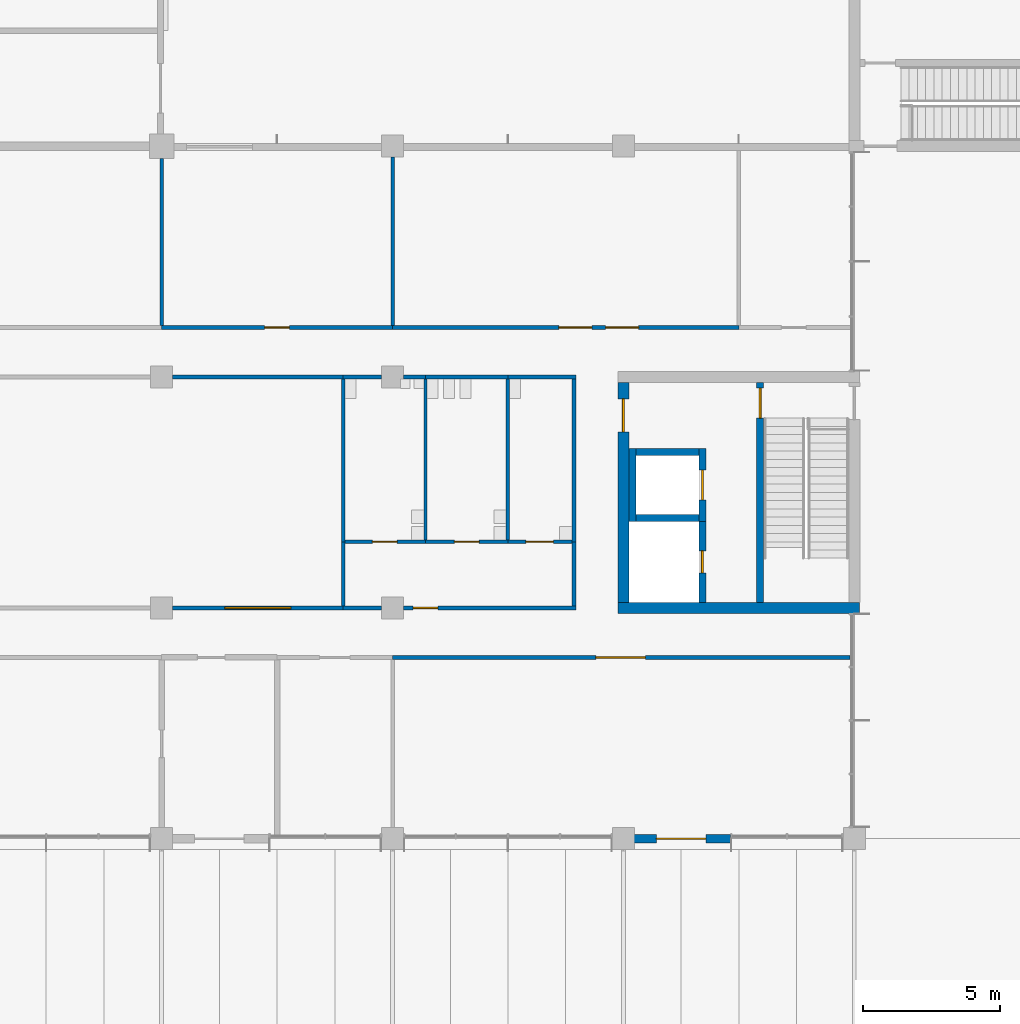
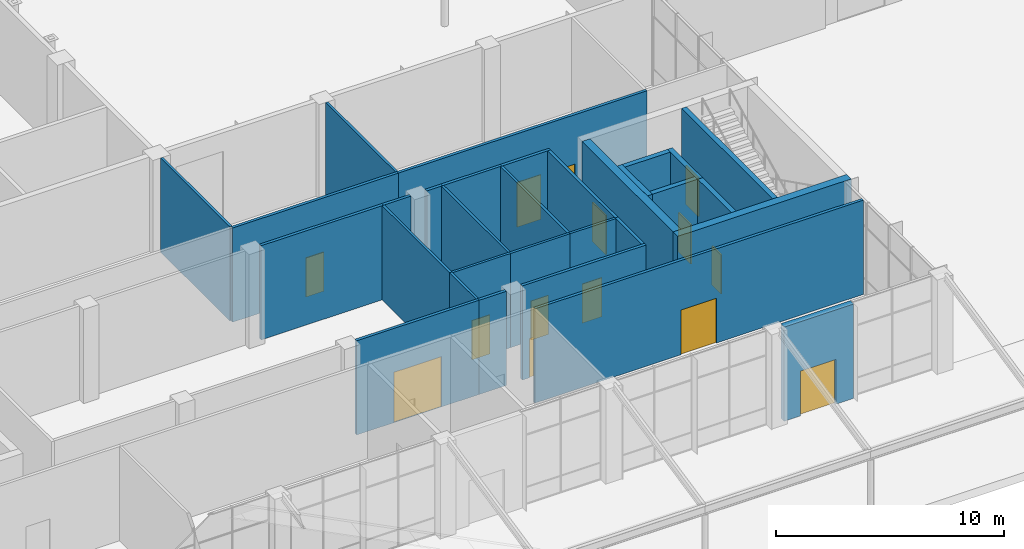
# One storey, part 33 of 76: 31 walls, 14 doors, 14 openings.
"""IFC4 building model written with IfcOpenShell, lengths in metres."""

from ifc_helpers import new_model, si_unit, direction, frame, frame_2d, origin, place, context, subcontext, project, spatial, rectangle, extrude, material, layer, layer_set, type_object, element, fill, save


model = new_model("IFC4")

# Units and contexts
model_context = context("Model", 3, precision=1e-05, world=origin(), true_north=direction((0.0, 1.0)))
body_context = subcontext(model_context, "Body", "Model", "MODEL_VIEW")
ifc_project = project(units=[si_unit("LENGTHUNIT", "METRE"), si_unit("AREAUNIT", "SQUARE_METRE"), si_unit("VOLUMEUNIT", "CUBIC_METRE"), si_unit("PLANEANGLEUNIT", "RADIAN"), si_unit("MASSUNIT", "GRAM", prefix="KILO")], contexts=[model_context])

# Site, building, storey
site_placement = place(None, origin())
site = spatial("IfcSite", under=ifc_project, at=site_placement, CompositionType="ELEMENT")
building_placement = place(site_placement, origin())
building = spatial("IfcBuilding", under=site, at=building_placement, Name="Hlaing Beacon Police Headquarters", CompositionType="ELEMENT")
storey_placement = place(building_placement, origin())
storey = spatial("IfcBuildingStorey", under=building, at=storey_placement, Name="L00", CompositionType="ELEMENT", Elevation=0.0)

# Wall
ifc_material_1 = material(Name="Concrete C60/75", Category="concrete")
ifc_layer_1 = layer(ifc_material_1, 0.39990234375)
ifc_layer_set_1 = layer_set([ifc_layer_1], Name="Concrete C60/75")
wall_type_1 = type_object("IfcWallType", Name="Core shear wall 400", PredefinedType="SHEAR", material=ifc_layer_set_1)
wall_1_placement = place(storey_placement, frame((50.199951171875, 16.800048828125, 0.0), z_axis=(0.0, 0.0, 1.0), x_axis=(1.0, 0.0, 0.0)))
element("IfcWall", 1, at=wall_1_placement, inside=storey, type_object=wall_type_1, Name="Core shear wall", PredefinedType="SHEAR", context=body_context, shape_type="SweptSolid", body=[
    extrude(rectangle(XDim=8.800048828125, YDim=0.39990234375, at=frame_2d((4.39990234375, 0.0))), origin(), (0.0, 0.0, 1.0), 5.050048828125),
])

# Wall, opening, door
wall_2_placement = place(storey_placement, frame((50.39990234375, 17.0, 0.0), z_axis=(0.0, 0.0, 1.0), x_axis=(0.0, 1.0, 0.0)))
wall_2 = element("IfcWall", 2, at=wall_2_placement, inside=storey, type_object=wall_type_1, Name="Core shear wall", PredefinedType="SHEAR", context=body_context, shape_type="SweptSolid", body=[
    extrude(rectangle(XDim=8.0, YDim=0.39990234375, at=frame_2d((4.0, 0.0))), origin(), (0.0, 0.0, 1.0), 5.050048828125),
])
opening_1_placement = place(wall_2_placement, frame((6.199951171875, 0.0, 0.0)))
opening_1 = element("IfcOpeningElement", 3, at=opening_1_placement, cuts=wall_2, Name="Opening L00-941", PredefinedType="OPENING", context=body_context, shape_type="SweptSolid", body=[
    extrude(rectangle(XDim=1.199951171875, YDim=2.10009765625, at=frame_2d((0.60009765625, 1.050048828125))), frame((0.0, 0.2099609375, 0.0), z_axis=(0.0, -1.0, 0.0), x_axis=(1.0, 0.0, 0.0)), (0.0, 0.0, 1.0), 0.419921875),
])
ifc_material_2 = material(Name="Steel fire door leaf", Category="steel")
ifc_layer_2 = layer(ifc_material_2, 0.070068359375)
ifc_layer_set_2 = layer_set([ifc_layer_2], Name="Steel fire door leaf")
door_type_1 = type_object("IfcDoorType", Name="Steel fire door FD60S 1200x2100", OperationType="SINGLE_SWING_LEFT", PredefinedType="DOOR", material=ifc_layer_set_2)
door_1_placement = place(opening_1_placement, frame((1.199951171875, 0.0, 0.0), z_axis=(0.0, 0.0, 1.0), x_axis=(-1.0, 0.0, 0.0)))
door_1 = element("IfcDoor", 4, at=door_1_placement, inside=storey, type_object=door_type_1, Name="Door Lift and Stair Lobby ST-K Entry", OperationType="SINGLE_SWING_LEFT", OverallHeight=2.10009765625, OverallWidth=1.199951171875, PredefinedType="DOOR", context=body_context, shape_type="SweptSolid", body=[
    extrude(rectangle(XDim=1.199951171875, YDim=2.10009765625, at=frame_2d((0.599853515625, 1.050048828125))), frame((0.0, 0.034912109375, 0.0), z_axis=(0.0, -1.0, 0.0), x_axis=(1.0, 0.0, 0.0)), (0.0, 0.0, 1.0), 0.070068359375),
])
fill(opening_1, door_1)

ifc_material_3 = material(Name="Gypsum board partition")
ifc_layer_3 = layer(ifc_material_3, 0.14990234375)
ifc_layer_set_3 = layer_set([ifc_layer_3], Name="Gypsum board partition")
wall_type_2 = type_object("IfcWallType", Name="Corridor wall EI 30 150", PredefinedType="PARTITIONING", material=ifc_layer_set_3)
wall_3_placement = place(storey_placement, frame((34.0, 16.800048828125, 0.0), z_axis=(0.0, 0.0, 1.0), x_axis=(1.0, 0.0, 0.0)))
wall_3 = element("IfcWall", 5, at=wall_3_placement, inside=storey, type_object=wall_type_2, Name="Corridor wall EI 30 150", PredefinedType="PARTITIONING", context=body_context, shape_type="SweptSolid", body=[
    extrude(rectangle(XDim=6.199951171875, YDim=0.14990234375, at=frame_2d((3.10009765625, 0.0))), origin(), (0.0, 0.0, 1.0), 5.050048828125),
])
opening_2_placement = place(wall_3_placement, frame((1.89990234375, 0.0, 0.0)))
opening_2 = element("IfcOpeningElement", 6, at=opening_2_placement, cuts=wall_3, Name="Opening L00-031", PredefinedType="OPENING", context=body_context, shape_type="SweptSolid", body=[
    extrude(rectangle(XDim=2.39990234375, YDim=2.699951171875, at=frame_2d((1.199951171875, 1.35009765625))), frame((0.0, 0.0849609375, 0.0), z_axis=(0.0, -1.0, 0.0), x_axis=(1.0, 0.0, 0.0)), (0.0, 0.0, 1.0), 0.169921875),
])
ifc_material_4 = material(Name="Hardwood door leaf", Category="wood")
ifc_layer_4 = layer(ifc_material_4, 0.050048828125)
ifc_layer_set_4 = layer_set([ifc_layer_4], Name="Hardwood door leaf")
door_type_2 = type_object("IfcDoorType", Name="Fire hall double door FD30S 2400x2700", OperationType="DOUBLE_DOOR_SINGLE_SWING", PredefinedType="DOOR", material=ifc_layer_set_4)
door_2_placement = place(opening_2_placement, frame((2.39990234375, 0.0, 0.0), z_axis=(0.0, 0.0, 1.0), x_axis=(-1.0, 0.0, 0.0)))
door_2 = element("IfcDoor", 7, at=door_2_placement, inside=storey, type_object=door_type_2, Name="Door Community Hall", OperationType="DOUBLE_DOOR_SINGLE_SWING", OverallHeight=2.699951171875, OverallWidth=2.39990234375, PredefinedType="DOOR", context=body_context, shape_type="SweptSolid", body=[
    extrude(rectangle(XDim=2.39990234375, YDim=2.699951171875, at=frame_2d((1.199951171875, 1.35009765625))), frame((0.0, 0.025146484375, 0.0), z_axis=(0.0, -1.0, 0.0), x_axis=(1.0, 0.0, 0.0)), (0.0, 0.0, 1.0), 0.050048828125),
])
fill(opening_2, door_2)

# Walls
wall_4_placement = place(storey_placement, frame((34.0, 25.199951171875, 0.0), z_axis=(0.0, 0.0, 1.0), x_axis=(1.0, 0.0, 0.0)))
element("IfcWall", 8, at=wall_4_placement, inside=storey, type_object=wall_type_2, Name="Corridor wall EI 30 150", PredefinedType="PARTITIONING", context=body_context, shape_type="SweptSolid", body=[
    extrude(rectangle(XDim=6.199951171875, YDim=0.14990234375, at=frame_2d((3.10009765625, 0.0))), origin(), (0.0, 0.0, 1.0), 5.050048828125),
])
wall_5_placement = place(storey_placement, frame((46.199951171875, 25.199951171875, 0.0), z_axis=(0.0, 0.0, 1.0), x_axis=(1.0, 0.0, 0.0)))
element("IfcWall", 9, at=wall_5_placement, inside=storey, type_object=wall_type_2, Name="Corridor wall EI 30 150", PredefinedType="PARTITIONING", context=body_context, shape_type="SweptSolid", body=[
    extrude(rectangle(XDim=2.47509765625, YDim=0.14990234375, at=frame_2d((1.237548828125, 0.0))), origin(), (0.0, 0.0, 1.0), 5.050048828125),
])
wall_6_placement = place(storey_placement, frame((48.60009765625, 19.199951171875, 0.0), z_axis=(0.0, 0.0, 1.0), x_axis=(0.0, 1.0, 0.0)))
element("IfcWall", 10, at=wall_6_placement, inside=storey, type_object=wall_type_2, Name="Corridor wall EI 30 150", PredefinedType="PARTITIONING", context=body_context, shape_type="SweptSolid", body=[
    extrude(rectangle(XDim=5.925048828125, YDim=0.14990234375, at=frame_2d((2.96240234375, 0.0))), origin(), (0.0, 0.0, 1.0), 5.050048828125),
])
wall_7_placement = place(storey_placement, frame((43.199951171875, 25.199951171875, 0.0), z_axis=(0.0, 0.0, 1.0), x_axis=(1.0, 0.0, 0.0)))
element("IfcWall", 11, at=wall_7_placement, inside=storey, type_object=wall_type_2, Name="Corridor wall EI 30 150", PredefinedType="PARTITIONING", context=body_context, shape_type="SweptSolid", body=[
    extrude(rectangle(XDim=3.0, YDim=0.14990234375, at=frame_2d((1.5, 0.0))), origin(), (0.0, 0.0, 1.0), 5.050048828125),
])
wall_8_placement = place(storey_placement, frame((40.199951171875, 16.800048828125, 0.0), z_axis=(0.0, 0.0, 1.0), x_axis=(1.0, 0.0, 0.0)))
element("IfcWall", 12, at=wall_8_placement, inside=storey, type_object=wall_type_2, Name="Corridor wall EI 30 150", PredefinedType="PARTITIONING", context=body_context, shape_type="SweptSolid", body=[
    extrude(rectangle(XDim=1.400146484375, YDim=0.14990234375, at=frame_2d((0.7001953125, 0.0))), origin(), (0.0, 0.0, 1.0), 5.050048828125),
])

# Wall, opening, door
wall_9_placement = place(storey_placement, frame((42.39990234375, 16.800048828125, 0.0), z_axis=(0.0, 0.0, 1.0), x_axis=(1.0, 0.0, 0.0)))
wall_9 = element("IfcWall", 13, at=wall_9_placement, inside=storey, type_object=wall_type_2, Name="Corridor wall EI 30 150", PredefinedType="PARTITIONING", context=body_context, shape_type="SweptSolid", body=[
    extrude(rectangle(XDim=6.275146484375, YDim=0.14990234375, at=frame_2d((3.1376953125, 0.0))), origin(), (0.0, 0.0, 1.0), 5.050048828125),
])
opening_3_placement = place(wall_9_placement, frame((0.35009765625, 0.0, 0.0)))
opening_3 = element("IfcOpeningElement", 14, at=opening_3_placement, cuts=wall_9, Name="Opening L00-034", PredefinedType="OPENING", context=body_context, shape_type="SweptSolid", body=[
    extrude(rectangle(XDim=0.89990234375, YDim=2.10009765625, at=frame_2d((0.449951171875, 1.050048828125))), frame((0.0, 0.0849609375, 0.0), z_axis=(0.0, -1.0, 0.0), x_axis=(1.0, 0.0, 0.0)), (0.0, 0.0, 1.0), 0.169921875),
])
ifc_material_5 = material(Name="Hardwood door leaf", Category="wood")
ifc_layer_5 = layer(ifc_material_5, 0.050048828125)
ifc_layer_set_5 = layer_set([ifc_layer_5], Name="Hardwood door leaf")
door_type_3 = type_object("IfcDoorType", Name="Fire door FD30S 900x2100", OperationType="SINGLE_SWING_LEFT", PredefinedType="DOOR", material=ifc_layer_set_5)
door_3_placement = place(opening_3_placement, origin())
door_3 = element("IfcDoor", 15, at=door_3_placement, inside=storey, type_object=door_type_3, Name="Door WC Lobby", OperationType="SINGLE_SWING_RIGHT", OverallHeight=2.10009765625, OverallWidth=0.89990234375, PredefinedType="DOOR", context=body_context, shape_type="SweptSolid", body=[
    extrude(rectangle(XDim=0.89990234375, YDim=2.10009765625, at=frame_2d((0.449951171875, 1.050048828125))), frame((0.0, 0.02490234375, 0.0), z_axis=(0.0, -1.0, 0.0), x_axis=(1.0, 0.0, 0.0)), (0.0, 0.0, 1.0), 0.050048828125),
])
fill(opening_3, door_3)

# Walls
wall_10_placement = place(storey_placement, frame((48.60009765625, 16.875, 0.0), z_axis=(0.0, 0.0, 1.0), x_axis=(0.0, 1.0, 0.0)))
element("IfcWall", 16, at=wall_10_placement, inside=storey, type_object=wall_type_2, Name="Corridor wall EI 30 150", PredefinedType="PARTITIONING", context=body_context, shape_type="SweptSolid", body=[
    extrude(rectangle(XDim=2.324951171875, YDim=0.14990234375, at=frame_2d((1.16259765625, 0.0))), origin(), (0.0, 0.0, 1.0), 5.050048828125),
])
wall_11_placement = place(storey_placement, frame((40.199951171875, 25.199951171875, 0.0), z_axis=(0.0, 0.0, 1.0), x_axis=(1.0, 0.0, 0.0)))
element("IfcWall", 17, at=wall_11_placement, inside=storey, type_object=wall_type_2, Name="Corridor wall EI 30 150", PredefinedType="PARTITIONING", context=body_context, shape_type="SweptSolid", body=[
    extrude(rectangle(XDim=1.400146484375, YDim=0.14990234375, at=frame_2d((0.7001953125, 0.0))), origin(), (0.0, 0.0, 1.0), 5.050048828125),
])
wall_12_placement = place(storey_placement, frame((42.39990234375, 25.199951171875, 0.0), z_axis=(0.0, 0.0, 1.0), x_axis=(1.0, 0.0, 0.0)))
element("IfcWall", 18, at=wall_12_placement, inside=storey, type_object=wall_type_2, Name="Corridor wall EI 30 150", PredefinedType="PARTITIONING", context=body_context, shape_type="SweptSolid", body=[
    extrude(rectangle(XDim=0.800048828125, YDim=0.14990234375, at=frame_2d((0.39990234375, 0.0))), origin(), (0.0, 0.0, 1.0), 5.050048828125),
])

# Wall, opening, door
wall_13_placement = place(storey_placement, frame((33.60009765625, 27.0, 0.0), z_axis=(0.0, 0.0, 1.0), x_axis=(1.0, 0.0, 0.0)))
wall_13 = element("IfcWall", 19, at=wall_13_placement, inside=storey, type_object=wall_type_2, Name="Corridor wall EI 30 150", PredefinedType="PARTITIONING", context=body_context, shape_type="SweptSolid", body=[
    extrude(rectangle(XDim=8.39990234375, YDim=0.14990234375, at=frame_2d((4.199951171875, 0.0))), origin(), (0.0, 0.0, 1.0), 5.050048828125),
])
opening_4_placement = place(wall_13_placement, frame((3.75, 0.0, 0.0)))
opening_4 = element("IfcOpeningElement", 20, at=opening_4_placement, cuts=wall_13, Name="Opening L00-039", PredefinedType="OPENING", context=body_context, shape_type="SweptSolid", body=[
    extrude(rectangle(XDim=0.89990234375, YDim=2.10009765625, at=frame_2d((0.449951171875, 1.050048828125))), frame((0.0, 0.0849609375, 0.0), z_axis=(0.0, -1.0, 0.0), x_axis=(1.0, 0.0, 0.0)), (0.0, 0.0, 1.0), 0.169921875),
])
door_4_placement = place(opening_4_placement, origin())
door_4 = element("IfcDoor", 21, at=door_4_placement, inside=storey, type_object=door_type_3, Name="Door Press Office", OperationType="SINGLE_SWING_RIGHT", OverallHeight=2.10009765625, OverallWidth=0.89990234375, PredefinedType="DOOR", context=body_context, shape_type="SweptSolid", body=[
    extrude(rectangle(XDim=0.89990234375, YDim=2.10009765625, at=frame_2d((0.449951171875, 1.050048828125))), frame((0.0, 0.02490234375, 0.0), z_axis=(0.0, -1.0, 0.0), x_axis=(1.0, 0.0, 0.0)), (0.0, 0.0, 1.0), 0.050048828125),
])
fill(opening_4, door_4)

# Wall, openings, doors
wall_14_placement = place(storey_placement, frame((42.0, 27.0, 0.0), z_axis=(0.0, 0.0, 1.0), x_axis=(1.0, 0.0, 0.0)))
wall_14 = element("IfcWall", 22, at=wall_14_placement, inside=storey, type_object=wall_type_2, Name="Corridor wall EI 30 150", PredefinedType="PARTITIONING", context=body_context, shape_type="SweptSolid", body=[
    extrude(rectangle(XDim=12.60009765625, YDim=0.14990234375, at=frame_2d((6.300048828125, 0.0))), origin(), (0.0, 0.0, 1.0), 5.050048828125),
])
opening_5_placement = place(wall_14_placement, frame((6.050048828125, 0.0, 0.0)))
opening_5 = element("IfcOpeningElement", 23, at=opening_5_placement, cuts=wall_14, Name="Opening L00-040", PredefinedType="OPENING", context=body_context, shape_type="SweptSolid", body=[
    extrude(rectangle(XDim=1.199951171875, YDim=2.39990234375, at=frame_2d((0.60009765625, 1.199951171875))), frame((0.0, 0.0849609375, 0.0), z_axis=(0.0, -1.0, 0.0), x_axis=(1.0, 0.0, 0.0)), (0.0, 0.0, 1.0), 0.169921875),
])
opening_6_placement = place(wall_14_placement, frame((7.75, 0.0, 0.0)))
opening_6 = element("IfcOpeningElement", 24, at=opening_6_placement, cuts=wall_14, Name="Opening L00-041", PredefinedType="OPENING", context=body_context, shape_type="SweptSolid", body=[
    extrude(rectangle(XDim=1.199951171875, YDim=2.39990234375, at=frame_2d((0.60009765625, 1.199951171875))), frame((0.0, 0.0849609375, 0.0), z_axis=(0.0, -1.0, 0.0), x_axis=(1.0, 0.0, 0.0)), (0.0, 0.0, 1.0), 0.169921875),
])
ifc_material_6 = material(Name="Hardwood door leaf", Category="wood")
ifc_layer_6 = layer(ifc_material_6, 0.050048828125)
ifc_layer_set_6 = layer_set([ifc_layer_6], Name="Hardwood door leaf")
door_type_4 = type_object("IfcDoorType", Name="Fire public door FD30S 1200x2400", OperationType="SINGLE_SWING_LEFT", PredefinedType="DOOR", material=ifc_layer_set_6)
door_5_placement = place(opening_5_placement, frame((1.199951171875, 0.0, 0.0), z_axis=(0.0, 0.0, 1.0), x_axis=(-1.0, 0.0, 0.0)))
door_5 = element("IfcDoor", 25, at=door_5_placement, inside=storey, type_object=door_type_4, Name="Door Community Meeting Room", OperationType="SINGLE_SWING_LEFT", OverallHeight=2.39990234375, OverallWidth=1.199951171875, PredefinedType="DOOR", context=body_context, shape_type="SweptSolid", body=[
    extrude(rectangle(XDim=1.199951171875, YDim=2.39990234375, at=frame_2d((0.599853515625, 1.199951171875))), frame((0.0, 0.025146484375, 0.0), z_axis=(0.0, -1.0, 0.0), x_axis=(1.0, 0.0, 0.0)), (0.0, 0.0, 1.0), 0.050048828125),
])
fill(opening_5, door_5)
door_6_placement = place(opening_6_placement, frame((1.199951171875, 0.0, 0.0), z_axis=(0.0, 0.0, 1.0), x_axis=(-1.0, 0.0, 0.0)))
door_6 = element("IfcDoor", 26, at=door_6_placement, inside=storey, type_object=door_type_4, Name="Door Community Meeting Room", OperationType="SINGLE_SWING_RIGHT", OverallHeight=2.39990234375, OverallWidth=1.199951171875, PredefinedType="DOOR", context=body_context, shape_type="SweptSolid", body=[
    extrude(rectangle(XDim=1.199951171875, YDim=2.39990234375, at=frame_2d((0.599853515625, 1.199951171875))), frame((0.0, 0.025146484375, 0.0), z_axis=(0.0, -1.0, 0.0), x_axis=(1.0, 0.0, 0.0)), (0.0, 0.0, 1.0), 0.050048828125),
])
fill(opening_6, door_6)

# Wall, opening, door
wall_15_placement = place(storey_placement, frame((42.0, 15.0, 0.0), z_axis=(0.0, 0.0, 1.0), x_axis=(1.0, 0.0, 0.0)))
wall_15 = element("IfcWall", 27, at=wall_15_placement, inside=storey, type_object=wall_type_2, Name="Corridor wall EI 30 150", PredefinedType="PARTITIONING", context=body_context, shape_type="SweptSolid", body=[
    extrude(rectangle(XDim=16.64990234375, YDim=0.14990234375, at=frame_2d((8.324951171875, 0.0))), origin(), (0.0, 0.0, 1.0), 5.050048828125),
])
opening_7_placement = place(wall_15_placement, frame((7.39990234375, 0.0, 0.0)))
opening_7 = element("IfcOpeningElement", 28, at=opening_7_placement, cuts=wall_15, Name="Opening L00-047", PredefinedType="OPENING", context=body_context, shape_type="SweptSolid", body=[
    extrude(rectangle(XDim=1.800048828125, YDim=2.39990234375, at=frame_2d((0.89990234375, 1.199951171875))), frame((0.0, 0.0849609375, 0.0), z_axis=(0.0, -1.0, 0.0), x_axis=(1.0, 0.0, 0.0)), (0.0, 0.0, 1.0), 0.169921875),
])
ifc_material_7 = material(Name="Hardwood door leaf", Category="wood")
ifc_layer_7 = layer(ifc_material_7, 0.050048828125)
ifc_layer_set_7 = layer_set([ifc_layer_7], Name="Hardwood door leaf")
door_type_5 = type_object("IfcDoorType", Name="Fire public double door FD30S 1800x2400", OperationType="DOUBLE_DOOR_SINGLE_SWING", PredefinedType="DOOR", material=ifc_layer_set_7)
door_7_placement = place(opening_7_placement, origin())
door_7 = element("IfcDoor", 29, at=door_7_placement, inside=storey, type_object=door_type_5, Name="Door Cafe", OperationType="DOUBLE_DOOR_SINGLE_SWING", OverallHeight=2.39990234375, OverallWidth=1.800048828125, PredefinedType="DOOR", context=body_context, shape_type="SweptSolid", body=[
    extrude(rectangle(XDim=1.800048828125, YDim=2.39990234375, at=frame_2d((0.89990234375, 1.199951171875))), frame((0.0, 0.02490234375, 0.0), z_axis=(0.0, -1.0, 0.0), x_axis=(1.0, 0.0, 0.0)), (0.0, 0.0, 1.0), 0.050048828125),
])
fill(opening_7, door_7)

# Walls
ifc_material_8 = material(Name="Gypsum board partition")
ifc_layer_8 = layer(ifc_material_8, 0.125)
ifc_layer_set_8 = layer_set([ifc_layer_8], Name="Gypsum board partition")
wall_type_3 = type_object("IfcWallType", Name="Partition 125", PredefinedType="PARTITIONING", material=ifc_layer_set_8)
wall_16_placement = place(storey_placement, frame((40.199951171875, 16.875, 0.0), z_axis=(0.0, 0.0, 1.0), x_axis=(0.0, 1.0, 0.0)))
element("IfcWall", 30, at=wall_16_placement, inside=storey, type_object=wall_type_3, Name="Partition 125", PredefinedType="PARTITIONING", context=body_context, shape_type="SweptSolid", body=[
    extrude(rectangle(XDim=2.324951171875, YDim=0.125, at=frame_2d((1.16259765625, 0.0))), origin(), (0.0, 0.0, 1.0), 5.050048828125),
])
wall_17_placement = place(storey_placement, frame((40.199951171875, 19.199951171875, 0.0), z_axis=(0.0, 0.0, 1.0), x_axis=(0.0, 1.0, 0.0)))
element("IfcWall", 31, at=wall_17_placement, inside=storey, type_object=wall_type_3, Name="Partition 125", PredefinedType="PARTITIONING", context=body_context, shape_type="SweptSolid", body=[
    extrude(rectangle(XDim=5.925048828125, YDim=0.125, at=frame_2d((2.96240234375, 0.0))), origin(), (0.0, 0.0, 1.0), 5.050048828125),
])
wall_18_placement = place(storey_placement, frame((46.199951171875, 19.261962890625, 0.0), z_axis=(0.0, 0.0, 1.0), x_axis=(0.0, 1.0, 0.0)))
element("IfcWall", 32, at=wall_18_placement, inside=storey, type_object=wall_type_3, Name="Partition 125", PredefinedType="PARTITIONING", context=body_context, shape_type="SweptSolid", body=[
    extrude(rectangle(XDim=5.863037109375, YDim=0.125, at=frame_2d((2.931640625, 0.0))), origin(), (0.0, 0.0, 1.0), 5.050048828125),
])

# Wall, opening, door
wall_19_placement = place(storey_placement, frame((46.199951171875, 19.199951171875, 0.0), z_axis=(0.0, 0.0, 1.0), x_axis=(1.0, 0.0, 0.0)))
wall_19 = element("IfcWall", 33, at=wall_19_placement, inside=storey, type_object=wall_type_3, Name="Partition 125", PredefinedType="PARTITIONING", context=body_context, shape_type="SweptSolid", body=[
    extrude(rectangle(XDim=2.324951171875, YDim=0.125, at=frame_2d((1.16259765625, 0.0))), origin(), (0.0, 0.0, 1.0), 5.050048828125),
])
opening_8_placement = place(wall_19_placement, frame((0.64990234375, 0.0, 0.0)))
opening_8 = element("IfcOpeningElement", 34, at=opening_8_placement, cuts=wall_19, Name="Opening L00-032", PredefinedType="OPENING", context=body_context, shape_type="SweptSolid", body=[
    extrude(rectangle(XDim=1.0, YDim=2.10009765625, at=frame_2d((0.5, 1.050048828125))), frame((0.0, 0.072509765625, 0.0), z_axis=(0.0, -1.0, 0.0), x_axis=(1.0, 0.0, 0.0)), (0.0, 0.0, 1.0), 0.14501953125),
])
ifc_material_9 = material(Name="Hardwood door leaf", Category="wood")
ifc_layer_9 = layer(ifc_material_9, 0.0400390625)
ifc_layer_set_9 = layer_set([ifc_layer_9], Name="Hardwood door leaf")
door_type_6 = type_object("IfcDoorType", Name="Door 1000x2100", OperationType="SINGLE_SWING_LEFT", PredefinedType="DOOR", material=ifc_layer_set_9)
door_8_placement = place(opening_8_placement, origin())
door_8 = element("IfcDoor", 35, at=door_8_placement, inside=storey, type_object=door_type_6, Name="Door Accessible WC", OperationType="SINGLE_SWING_LEFT", OverallHeight=2.10009765625, OverallWidth=1.0, PredefinedType="DOOR", context=body_context, shape_type="SweptSolid", body=[
    extrude(rectangle(XDim=1.0, YDim=2.10009765625, at=frame_2d((0.5, 1.050048828125))), frame((0.0, 0.02001953125, 0.0), z_axis=(0.0, -1.0, 0.0), x_axis=(1.0, 0.0, 0.0)), (0.0, 0.0, 1.0), 0.0400390625),
])
fill(opening_8, door_8)

wall_20_placement = place(storey_placement, frame((43.199951171875, 19.199951171875, 0.0), z_axis=(0.0, 0.0, 1.0), x_axis=(1.0, 0.0, 0.0)))
wall_20 = element("IfcWall", 36, at=wall_20_placement, inside=storey, type_object=wall_type_3, Name="Partition 125", PredefinedType="PARTITIONING", context=body_context, shape_type="SweptSolid", body=[
    extrude(rectangle(XDim=3.0, YDim=0.125, at=frame_2d((1.5, 0.0))), origin(), (0.0, 0.0, 1.0), 5.050048828125),
])
opening_9_placement = place(wall_20_placement, frame((1.050048828125, 0.0, 0.0)))
opening_9 = element("IfcOpeningElement", 37, at=opening_9_placement, cuts=wall_20, Name="Opening L00-033", PredefinedType="OPENING", context=body_context, shape_type="SweptSolid", body=[
    extrude(rectangle(XDim=0.89990234375, YDim=2.10009765625, at=frame_2d((0.449951171875, 1.050048828125))), frame((0.0, 0.072509765625, 0.0), z_axis=(0.0, -1.0, 0.0), x_axis=(1.0, 0.0, 0.0)), (0.0, 0.0, 1.0), 0.14501953125),
])
ifc_material_10 = material(Name="Hardwood door leaf", Category="wood")
ifc_layer_10 = layer(ifc_material_10, 0.0400390625)
ifc_layer_set_10 = layer_set([ifc_layer_10], Name="Hardwood door leaf")
door_type_7 = type_object("IfcDoorType", Name="Door 900x2100", OperationType="SINGLE_SWING_LEFT", PredefinedType="DOOR", material=ifc_layer_set_10)
door_9_placement = place(opening_9_placement, origin())
door_9 = element("IfcDoor", 38, at=door_9_placement, inside=storey, type_object=door_type_7, Name="Door Female WC", OperationType="SINGLE_SWING_RIGHT", OverallHeight=2.10009765625, OverallWidth=0.89990234375, PredefinedType="DOOR", context=body_context, shape_type="SweptSolid", body=[
    extrude(rectangle(XDim=0.89990234375, YDim=2.10009765625, at=frame_2d((0.449951171875, 1.050048828125))), frame((0.0, 0.02001953125, 0.0), z_axis=(0.0, -1.0, 0.0), x_axis=(1.0, 0.0, 0.0)), (0.0, 0.0, 1.0), 0.0400390625),
])
fill(opening_9, door_9)

# Wall
wall_21_placement = place(storey_placement, frame((43.199951171875, 19.261962890625, 0.0), z_axis=(0.0, 0.0, 1.0), x_axis=(0.0, 1.0, 0.0)))
element("IfcWall", 39, at=wall_21_placement, inside=storey, type_object=wall_type_3, Name="Partition 125", PredefinedType="PARTITIONING", context=body_context, shape_type="SweptSolid", body=[
    extrude(rectangle(XDim=5.863037109375, YDim=0.125, at=frame_2d((2.931640625, 0.0))), origin(), (0.0, 0.0, 1.0), 5.050048828125),
])

# Wall, opening, door
wall_22_placement = place(storey_placement, frame((40.262939453125, 19.199951171875, 0.0), z_axis=(0.0, 0.0, 1.0), x_axis=(1.0, 0.0, 0.0)))
wall_22 = element("IfcWall", 40, at=wall_22_placement, inside=storey, type_object=wall_type_3, Name="Partition 125", PredefinedType="PARTITIONING", context=body_context, shape_type="SweptSolid", body=[
    extrude(rectangle(XDim=2.93701171875, YDim=0.125, at=frame_2d((1.468505859375, 0.0))), origin(), (0.0, 0.0, 1.0), 5.050048828125),
])
opening_10_placement = place(wall_22_placement, frame((1.0, 0.0, 0.0)))
opening_10 = element("IfcOpeningElement", 41, at=opening_10_placement, cuts=wall_22, Name="Opening L00-035", PredefinedType="OPENING", context=body_context, shape_type="SweptSolid", body=[
    extrude(rectangle(XDim=0.89990234375, YDim=2.10009765625, at=frame_2d((0.449951171875, 1.050048828125))), frame((0.0, 0.072509765625, 0.0), z_axis=(0.0, -1.0, 0.0), x_axis=(1.0, 0.0, 0.0)), (0.0, 0.0, 1.0), 0.14501953125),
])
door_10_placement = place(opening_10_placement, origin())
door_10 = element("IfcDoor", 42, at=door_10_placement, inside=storey, type_object=door_type_7, Name="Door Male WC", OperationType="SINGLE_SWING_RIGHT", OverallHeight=2.10009765625, OverallWidth=0.89990234375, PredefinedType="DOOR", context=body_context, shape_type="SweptSolid", body=[
    extrude(rectangle(XDim=0.89990234375, YDim=2.10009765625, at=frame_2d((0.449951171875, 1.050048828125))), frame((0.0, 0.02001953125, 0.0), z_axis=(0.0, -1.0, 0.0), x_axis=(1.0, 0.0, 0.0)), (0.0, 0.0, 1.0), 0.0400390625),
])
fill(opening_10, door_10)

# Walls
wall_23_placement = place(storey_placement, frame((33.60009765625, 27.074951171875, 0.0), z_axis=(0.0, 0.0, 1.0), x_axis=(0.0, 1.0, 0.0)))
element("IfcWall", 43, at=wall_23_placement, inside=storey, type_object=wall_type_3, Name="Partition 125", PredefinedType="PARTITIONING", context=body_context, shape_type="SweptSolid", body=[
    extrude(rectangle(XDim=6.074951171875, YDim=0.125, at=frame_2d((3.03759765625, 0.0))), origin(), (0.0, 0.0, 1.0), 5.050048828125),
])
wall_24_placement = place(storey_placement, frame((42.0, 27.074951171875, 0.0), z_axis=(0.0, 0.0, 1.0), x_axis=(0.0, 1.0, 0.0)))
element("IfcWall", 44, at=wall_24_placement, inside=storey, type_object=wall_type_3, Name="Partition 125", PredefinedType="PARTITIONING", context=body_context, shape_type="SweptSolid", body=[
    extrude(rectangle(XDim=6.125, YDim=0.125, at=frame_2d((3.0625, 0.0))), origin(), (0.0, 0.0, 1.0), 5.050048828125),
])

# Wall, opening, door
ifc_material_11 = material(Name="Concrete C40/50 precast ribbed cladding", Category="concrete")
ifc_layer_11 = layer(ifc_material_11, 0.300048828125)
ifc_layer_set_11 = layer_set([ifc_layer_11], Name="Concrete C40/50 precast ribbed cladding")
wall_type_4 = type_object("IfcWallType", Name="Precast ribbed wall 300", PredefinedType="SOLIDWALL", material=ifc_layer_set_11)
wall_25_placement = place(storey_placement, frame((50.780029296875, 8.39990234375, 0.0), z_axis=(0.0, 0.0, 1.0), x_axis=(1.0, 0.0, 0.0)))
wall_25 = element("IfcWall", 45, at=wall_25_placement, inside=storey, type_object=wall_type_4, Name="External wall L00 S017", PredefinedType="SOLIDWALL", context=body_context, shape_type="SweptSolid", body=[
    extrude(rectangle(XDim=3.52001953125, YDim=0.300048828125, at=frame_2d((1.760009765625, 0.0))), origin(), (0.0, 0.0, 1.0), 5.050048828125),
])
opening_11_placement = place(wall_25_placement, frame((0.820068359375, 0.0, 0.0)))
opening_11 = element("IfcOpeningElement", 46, at=opening_11_placement, cuts=wall_25, Name="Opening L00-806", PredefinedType="OPENING", context=body_context, shape_type="SweptSolid", body=[
    extrude(rectangle(XDim=1.800048828125, YDim=2.39990234375, at=frame_2d((0.89990234375, 1.199951171875))), frame((0.0, 0.16015625, 0.0), z_axis=(0.0, -1.0, 0.0), x_axis=(1.0, 0.0, 0.0)), (0.0, 0.0, 1.0), 0.320068359375),
])
ifc_material_12 = material(Name="Aluminium framed glazed door", Category="aluminium")
door_type_8 = type_object("IfcDoorType", Name="Entrance door 1800x2400 double", OperationType="DOUBLE_DOOR_DOUBLE_SWING", PredefinedType="DOOR", material=ifc_material_12)
door_11_placement = place(opening_11_placement, frame((1.800048828125, 0.0, 0.0), z_axis=(0.0, 0.0, 1.0), x_axis=(-1.0, 0.0, 0.0)))
door_11 = element("IfcDoor", 47, at=door_11_placement, inside=storey, type_object=door_type_8, Name="Door Cafe", OperationType="DOUBLE_DOOR_DOUBLE_SWING", OverallHeight=2.39990234375, OverallWidth=1.800048828125, PredefinedType="DOOR", context=body_context, shape_type="SweptSolid", body=[
    extrude(rectangle(XDim=1.800048828125, YDim=2.39990234375, at=frame_2d((0.900146484375, 1.199951171875))), frame((0.0, 0.025146484375, 0.0), z_axis=(0.0, -1.0, 0.0), x_axis=(1.0, 0.0, 0.0)), (0.0, 0.0, 1.0), 0.050048828125),
])
fill(opening_11, door_11)

ifc_material_13 = material(Name="Concrete C40/50", Category="concrete")
ifc_layer_12 = layer(ifc_material_13, 0.25)
ifc_layer_set_12 = layer_set([ifc_layer_12], Name="Concrete C40/50")
wall_type_5 = type_object("IfcWallType", Name="Shaft wall 250", PredefinedType="SOLIDWALL", material=ifc_layer_set_12)
wall_26_placement = place(storey_placement, frame((55.375, 25.0, 0.0), z_axis=(0.0, 0.0, 1.0), x_axis=(0.0, -1.0, 0.0)))
wall_26 = element("IfcWall", 48, at=wall_26_placement, inside=storey, type_object=wall_type_5, Name="Stair enclosure wall", PredefinedType="SOLIDWALL", context=body_context, shape_type="SweptSolid", body=[
    extrude(rectangle(XDim=8.0, YDim=0.25, at=frame_2d((4.0, 0.0))), origin(), (0.0, 0.0, 1.0), 5.050048828125),
])
opening_12_placement = place(wall_26_placement, frame((0.199951171875, 0.0, 0.0)))
opening_12 = element("IfcOpeningElement", 49, at=opening_12_placement, cuts=wall_26, Name="Opening L00-943", PredefinedType="OPENING", context=body_context, shape_type="SweptSolid", body=[
    extrude(rectangle(XDim=1.10009765625, YDim=2.10009765625, at=frame_2d((0.550048828125, 1.050048828125))), frame((0.0, 0.135009765625, 0.0), z_axis=(0.0, -1.0, 0.0), x_axis=(1.0, 0.0, 0.0)), (0.0, 0.0, 1.0), 0.27001953125),
])
ifc_material_14 = material(Name="Steel fire door leaf", Category="steel")
ifc_layer_13 = layer(ifc_material_14, 0.070068359375)
ifc_layer_set_13 = layer_set([ifc_layer_13], Name="Steel fire door leaf")
door_type_9 = type_object("IfcDoorType", Name="Steel fire door FD60 1100x2100", OperationType="SINGLE_SWING_LEFT", PredefinedType="DOOR", material=ifc_layer_set_13)
door_12_placement = place(opening_12_placement, origin())
door_12 = element("IfcDoor", 50, at=door_12_placement, inside=storey, type_object=door_type_9, Name="Door Stair ST-K", OperationType="SINGLE_SWING_RIGHT", OverallHeight=2.10009765625, OverallWidth=1.10009765625, PredefinedType="DOOR", context=body_context, shape_type="SweptSolid", body=[
    extrude(rectangle(XDim=1.10009765625, YDim=2.10009765625, at=frame_2d((0.550048828125, 1.050048828125))), frame((0.0, 0.03515625, 0.0), z_axis=(0.0, -1.0, 0.0), x_axis=(1.0, 0.0, 0.0)), (0.0, 0.0, 1.0), 0.070068359375),
])
fill(opening_12, door_12)

wall_27_placement = place(storey_placement, frame((53.27490234375, 19.949951171875, 0.0), z_axis=(0.0, 0.0, 1.0), x_axis=(0.0, -1.0, 0.0)))
wall_27 = element("IfcWall", 51, at=wall_27_placement, inside=storey, type_object=wall_type_5, Name="Lobby wall", PredefinedType="SOLIDWALL", context=body_context, shape_type="SweptSolid", body=[
    extrude(rectangle(XDim=2.949951171875, YDim=0.25, at=frame_2d((1.47509765625, 0.0))), origin(), (0.0, 0.0, 1.0), 5.050048828125),
])
opening_13_placement = place(wall_27_placement, frame((1.074951171875, 0.0, 0.0)))
opening_13 = element("IfcOpeningElement", 52, at=opening_13_placement, cuts=wall_27, Name="Opening L00-942", PredefinedType="OPENING", context=body_context, shape_type="SweptSolid", body=[
    extrude(rectangle(XDim=0.800048828125, YDim=2.10009765625, at=frame_2d((0.39990234375, 1.050048828125))), frame((0.0, 0.135009765625, 0.0), z_axis=(0.0, -1.0, 0.0), x_axis=(1.0, 0.0, 0.0)), (0.0, 0.0, 1.0), 0.27001953125),
])
ifc_material_15 = material(Name="Steel fire door leaf", Category="steel")
ifc_layer_14 = layer(ifc_material_15, 0.070068359375)
ifc_layer_set_14 = layer_set([ifc_layer_14], Name="Steel fire door leaf")
door_type_10 = type_object("IfcDoorType", Name="Steel fire door FD60 800x2100", OperationType="SINGLE_SWING_LEFT", PredefinedType="DOOR", material=ifc_layer_set_14)
door_13_placement = place(opening_13_placement, frame((0.800048828125, 0.0, 0.0), z_axis=(0.0, 0.0, 1.0), x_axis=(-1.0, 0.0, 0.0)))
door_13 = element("IfcDoor", 53, at=door_13_placement, inside=storey, type_object=door_type_10, Name="Door Services Riser", OperationType="SINGLE_SWING_RIGHT", OverallHeight=2.10009765625, OverallWidth=0.800048828125, PredefinedType="DOOR", context=body_context, shape_type="SweptSolid", body=[
    extrude(rectangle(XDim=0.800048828125, YDim=2.10009765625, at=frame_2d((0.400146484375, 1.050048828125))), frame((0.0, 0.034912109375, 0.0), z_axis=(0.0, -1.0, 0.0), x_axis=(1.0, 0.0, 0.0)), (0.0, 0.0, 1.0), 0.070068359375),
])
fill(opening_13, door_13)

wall_28_placement = place(storey_placement, frame((53.27490234375, 19.949951171875, 0.0), z_axis=(0.0, 0.0, 1.0), x_axis=(0.0, 1.0, 0.0)))
wall_28 = element("IfcWall", 54, at=wall_28_placement, inside=storey, type_object=wall_type_5, Name="Lift shaft wall PL6", PredefinedType="SOLIDWALL", context=body_context, shape_type="SweptSolid", body=[
    extrude(rectangle(XDim=2.650146484375, YDim=0.25, at=frame_2d((1.3251953125, 0.0))), origin(), (0.0, 0.0, 1.0), 5.050048828125),
])
opening_14_placement = place(wall_28_placement, frame((0.77490234375, 0.0, 0.0)))
opening_14 = element("IfcOpeningElement", 55, at=opening_14_placement, cuts=wall_28, Name="Opening LD-PL6-L00", PredefinedType="OPENING", context=body_context, shape_type="SweptSolid", body=[
    extrude(rectangle(XDim=1.10009765625, YDim=2.10009765625, at=frame_2d((0.550048828125, 1.050048828125))), frame((0.0, 0.135009765625, 0.0), z_axis=(0.0, -1.0, 0.0), x_axis=(1.0, 0.0, 0.0)), (0.0, 0.0, 1.0), 0.27001953125),
])
ifc_material_16 = material(Name="Stainless steel lift landing door", Category="steel")
ifc_layer_15 = layer(ifc_material_16, 0.06005859375)
ifc_layer_set_15 = layer_set([ifc_layer_15], Name="Stainless steel lift landing door")
door_type_11 = type_object("IfcDoorType", Name="Lift landing door 1100x2100", OperationType="DOUBLE_DOOR_SLIDING", PredefinedType="DOOR", material=ifc_layer_set_15)
door_14_placement = place(opening_14_placement, origin())
door_14 = element("IfcDoor", 56, at=door_14_placement, inside=storey, type_object=door_type_11, Name="Landing door PL6 L00", OperationType="DOUBLE_DOOR_SLIDING", OverallHeight=2.10009765625, OverallWidth=1.10009765625, PredefinedType="DOOR", context=body_context, shape_type="SweptSolid", body=[
    extrude(rectangle(XDim=1.10009765625, YDim=2.10009765625, at=frame_2d((0.550048828125, 1.050048828125))), frame((0.0, 0.0400390625, 0.0), z_axis=(0.0, -1.0, 0.0), x_axis=(1.0, 0.0, 0.0)), (0.0, 0.0, 1.0), 0.080078125),
])
fill(opening_14, door_14)

# Walls
for number, where, z_axis, x_axis, name in (
    (57, (50.85009765625, 22.47509765625, 0.0), (0.0, 0.0, 1.0), (1.0, 0.0, 0.0), "Lift shaft wall PL6"),
    (58, (50.85009765625, 20.074951171875, 0.0), (0.0, 0.0, 1.0), (1.0, 0.0, 0.0), "Lift shaft wall PL6"),
):
    element("IfcWall", number, at=place(storey_placement, frame(where, z_axis=z_axis, x_axis=x_axis)), inside=storey, type_object=wall_type_5, Name=name, PredefinedType="SOLIDWALL", context=body_context, shape_type="SweptSolid", body=[
        extrude(rectangle(XDim=2.2998046875, YDim=0.25, at=frame_2d((1.14990234375, 0.0))), origin(), (0.0, 0.0, 1.0), 5.050048828125),
    ])
wall_29_placement = place(storey_placement, frame((50.72509765625, 19.949951171875, 0.0), z_axis=(0.0, 0.0, 1.0), x_axis=(0.0, 1.0, 0.0)))
element("IfcWall", 59, at=wall_29_placement, inside=storey, type_object=wall_type_5, Name="Lift shaft wall PL6", PredefinedType="SOLIDWALL", context=body_context, shape_type="SweptSolid", body=[
    extrude(rectangle(XDim=2.650146484375, YDim=0.25, at=frame_2d((1.3251953125, 0.0))), origin(), (0.0, 0.0, 1.0), 5.050048828125),
])

save(model, "model.ifc")
